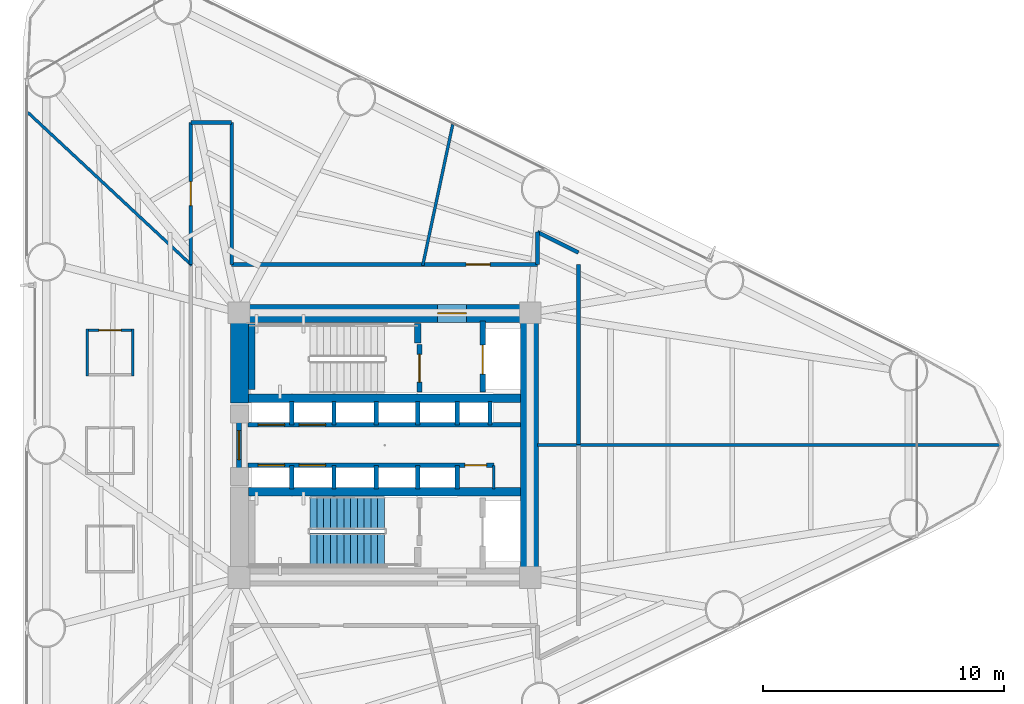
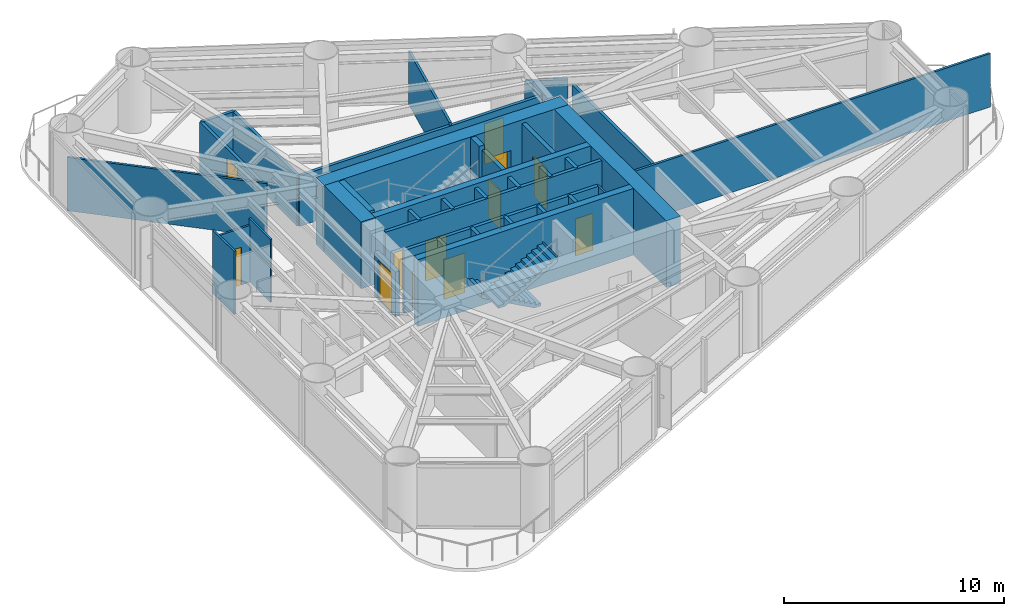
# One storey, part 6 of 10: 37 walls, 12 doors, 2 stair flights, 12 openings, 1 element without a shape of its own.
"""IFC4 building model written with IfcOpenShell, lengths in metres."""

from ifc_helpers import new_model, si_unit, direction, frame, frame_2d, origin, place, context, subcontext, project, spatial, polyline, rectangle, outline, extrude, material, layer, layer_set, type_object, element, fill, aggregate, save


model = new_model("IFC4")

# Units and contexts
model_context = context("Model", 3, precision=1e-05, world=origin(), true_north=direction((0.0, 1.0)))
body_context = subcontext(model_context, "Body", "Model", "MODEL_VIEW")
ifc_project = project(units=[si_unit("LENGTHUNIT", "METRE"), si_unit("AREAUNIT", "SQUARE_METRE"), si_unit("VOLUMEUNIT", "CUBIC_METRE"), si_unit("PLANEANGLEUNIT", "RADIAN"), si_unit("MASSUNIT", "GRAM", prefix="KILO")], contexts=[model_context])

# Site, building, storey
site_placement = place(None, origin())
site = spatial("IfcSite", under=ifc_project, at=site_placement, CompositionType="ELEMENT")
building_placement = place(site_placement, origin())
building = spatial("IfcBuilding", under=site, at=building_placement, Name="Yunling Apex Tower", CompositionType="ELEMENT")
storey_placement = place(building_placement, frame((0.0, 0.0, 27.5)))
storey = spatial("IfcBuildingStorey", under=building, at=storey_placement, Name="L08", CompositionType="ELEMENT", Elevation=27.5)

# Wall, opening, door
ifc_material_1 = material(Name="Concrete C60", Category="concrete")
ifc_layer_1 = layer(ifc_material_1, 0.75)
ifc_layer_set_1 = layer_set([ifc_layer_1], Name="Concrete C60")
wall_type_1 = type_object("IfcWallType", Name="WL-COR-1", PredefinedType="SHEAR", material=ifc_layer_set_1)
wall_1_placement = place(storey_placement, frame((-6.39990234375, 5.47509765625, 0.0), z_axis=(0.0, 0.0, 1.0), x_axis=(1.0, 0.0, 0.0)))
wall_1 = element("IfcWall", 1, at=wall_1_placement, inside=storey, type_object=wall_type_1, Name="L08 North Core Shear Wall", PredefinedType="SHEAR", context=body_context, shape_type="SweptSolid", body=[
    extrude(rectangle(XDim=12.7998046875, YDim=0.75, at=frame_2d((6.39990234375, 0.0))), origin(), (0.0, 0.0, 1.0), 3.699951171875),
])
opening_1_placement = place(wall_1_placement, frame((8.60009765625, 0.0, 0.0)))
opening_1 = element("IfcOpeningElement", 2, at=opening_1_placement, cuts=wall_1, Name="Opening DR-FFL-1", PredefinedType="OPENING", context=body_context, shape_type="SweptSolid", body=[
    extrude(rectangle(XDim=1.199951171875, YDim=2.199951171875, at=frame_2d((0.60009765625, 1.10009765625))), frame((0.0, 0.385009765625, 0.0), z_axis=(0.0, -1.0, 0.0), x_axis=(1.0, 0.0, 0.0)), (0.0, 0.0, 1.0), 0.77001953125),
])
ifc_material_2 = material(Name="Steel Q355B", Category="steel")
door_type_1 = type_object("IfcDoorType", Name="DR-FFL-1", OperationType="NOTDEFINED", PredefinedType="DOOR", material=ifc_material_2)
door_1_placement = place(opening_1_placement, origin())
door_1 = element("IfcDoor", 3, at=door_1_placement, inside=storey, type_object=door_type_1, Name="L08 North Firefighting Lobby Door", OperationType="SINGLE_SWING_LEFT", OverallHeight=2.199951171875, OverallWidth=1.199951171875, PredefinedType="DOOR", context=body_context, shape_type="SweptSolid", body=[
    extrude(rectangle(XDim=1.199951171875, YDim=2.199951171875, at=frame_2d((0.60009765625, 1.10009765625))), frame((0.0, 0.02490234375, 0.0), z_axis=(0.0, -1.0, 0.0), x_axis=(1.0, 0.0, 0.0)), (0.0, 0.0, 1.0), 0.050048828125),
])
fill(opening_1, door_1)

# Walls
wall_2_placement = place(storey_placement, frame((6.02490234375, -5.10009765625, 0.0), z_axis=(0.0, 0.0, 1.0), x_axis=(0.0, 1.0, 0.0)))
element("IfcWall", 4, at=wall_2_placement, inside=storey, type_object=wall_type_1, Name="L08 East Core Shear Wall", PredefinedType="SHEAR", context=body_context, shape_type="SweptSolid", body=[
    extrude(rectangle(XDim=10.2001953125, YDim=0.75, at=frame_2d((5.10009765625, 0.0))), origin(), (0.0, 0.0, 1.0), 3.699951171875),
])
wall_3_placement = place(storey_placement, frame((-6.02490234375, 1.75, 0.0), z_axis=(0.0, 0.0, 1.0), x_axis=(0.0, 1.0, 0.0)))
element("IfcWall", 5, at=wall_3_placement, inside=storey, type_object=wall_type_1, Name="L08 West-North Core Shear Wall", PredefinedType="SHEAR", context=body_context, shape_type="SweptSolid", body=[
    extrude(rectangle(XDim=3.35009765625, YDim=0.75, at=frame_2d((1.675048828125, 0.0))), origin(), (0.0, 0.0, 1.0), 3.699951171875),
])
ifc_material_3 = material(Name="Concrete C40", Category="concrete")
ifc_layer_2 = layer(ifc_material_3, 0.360107421875)
ifc_layer_set_2 = layer_set([ifc_layer_2], Name="Concrete C40")
wall_type_2 = type_object("IfcWallType", Name="WL-COR-4", PredefinedType="SHEAR", material=ifc_layer_set_2)
for number, where, z_axis, x_axis, name in (
    (6, (-5.64990234375, 1.93994140625, 0.0), (0.0, 0.0, 1.0), (1.0, 0.0, 0.0), "L08 North Internal Core Shear Wall"),
    (7, (-5.64990234375, -1.93994140625, 0.0), (0.0, 0.0, 1.0), (1.0, 0.0, 0.0), "L08 South Internal Core Shear Wall"),
):
    element("IfcWall", number, at=place(storey_placement, frame(where, z_axis=z_axis, x_axis=x_axis)), inside=storey, type_object=wall_type_2, Name=name, PredefinedType="SHEAR", context=body_context, shape_type="SweptSolid", body=[
        extrude(rectangle(XDim=11.2998046875, YDim=0.360107421875, at=frame_2d((5.64990234375, 0.0))), origin(), (0.0, 0.0, 1.0), 3.699951171875),
    ])
ifc_layer_3 = layer(ifc_material_3, 0.280029296875)
ifc_layer_set_3 = layer_set([ifc_layer_3], Name="Concrete C40")
wall_type_3 = type_object("IfcWallType", Name="WL-COR-8", PredefinedType="SHEAR", material=ifc_layer_set_3)
wall_4_placement = place(storey_placement, frame((-5.52001953125, 2.300048828125, 0.0), z_axis=(0.0, 0.0, 1.0), x_axis=(0.0, 1.0, 0.0)))
element("IfcWall", 8, at=wall_4_placement, inside=storey, type_object=wall_type_3, Name="L08 ST-1 West Landing Bearing Wall", PredefinedType="SHEAR", context=body_context, shape_type="SweptSolid", body=[
    extrude(rectangle(XDim=2.75, YDim=0.280029296875, at=frame_2d((1.375, 0.0))), origin(), (0.0, 0.0, 1.0), 3.699951171875),
])
wall_5_placement = place(storey_placement, frame((1.3798828125, 4.25, 0.0), z_axis=(0.0, 0.0, 1.0), x_axis=(0.0, 1.0, 0.0)))
element("IfcWall", 9, at=wall_5_placement, inside=storey, type_object=wall_type_3, Name="L08 ST-1 East Landing Bearing Pier", PredefinedType="SHEAR", context=body_context, shape_type="SweptSolid", body=[
    extrude(rectangle(XDim=0.800048828125, YDim=0.280029296875, at=frame_2d((0.39990234375, 0.0))), origin(), (0.0, 0.0, 1.0), 3.699951171875),
])

# Wall, opening, door
ifc_material_4 = material(Name="Gypsum board acoustic partition")
ifc_layer_4 = layer(ifc_material_4, 0.159912109375)
ifc_layer_set_4 = layer_set([ifc_layer_4], Name="Gypsum board acoustic partition")
wall_type_4 = type_object("IfcWallType", Name="WL-PRT-1", PredefinedType="PARTITIONING", material=ifc_layer_set_4)
wall_6_placement = place(storey_placement, frame((-8.050048828125, 7.5, 0.0), z_axis=(0.0, 0.0, 1.0), x_axis=(0.0, 1.0, 0.0)))
wall_6 = element("IfcWall", 10, at=wall_6_placement, inside=storey, type_object=wall_type_4, Name="WL-CORR-L08-06", PredefinedType="PARTITIONING", context=body_context, shape_type="SweptSolid", body=[
    extrude(rectangle(XDim=5.89990234375, YDim=0.159912109375, at=frame_2d((2.949951171875, 0.0))), origin(), (0.0, 0.0, 1.0), 2.800048828125),
])
opening_2_placement = place(wall_6_placement, frame((2.449951171875, 0.0, 0.0)))
opening_2 = element("IfcOpeningElement", 11, at=opening_2_placement, cuts=wall_6, Name="Opening DR-OFF-1", PredefinedType="OPENING", context=body_context, shape_type="SweptSolid", body=[
    extrude(rectangle(XDim=1.0, YDim=2.25, at=frame_2d((0.5, 1.125))), frame((0.0, 0.08984375, 0.0), z_axis=(0.0, -1.0, 0.0), x_axis=(1.0, 0.0, 0.0)), (0.0, 0.0, 1.0), 0.179931640625),
])
ifc_material_5 = material(Name="Bronze anodised aluminium", Category="aluminium")
door_type_2 = type_object("IfcDoorType", Name="DR-OFF-1", OperationType="NOTDEFINED", PredefinedType="DOOR", material=ifc_material_5)
door_2_placement = place(opening_2_placement, origin())
door_2 = element("IfcDoor", 12, at=door_2_placement, inside=storey, type_object=door_type_2, Name="L08 Open Plan Office Door", OperationType="SINGLE_SWING_LEFT", OverallHeight=2.25, OverallWidth=1.0, PredefinedType="DOOR", context=body_context, shape_type="SweptSolid", body=[
    extrude(rectangle(XDim=1.0, YDim=2.25, at=frame_2d((0.5, 1.125))), frame((0.0, 0.02490234375, 0.0), z_axis=(0.0, -1.0, 0.0), x_axis=(1.0, 0.0, 0.0)), (0.0, 0.0, 1.0), 0.050048828125),
])
fill(opening_2, door_2)

# Walls
wall_7_placement = place(storey_placement, frame((-8.050048828125, 13.39990234375, 0.0), z_axis=(0.0, 0.0, 1.0), x_axis=(1.0, 0.0, 0.0)))
element("IfcWall", 13, at=wall_7_placement, inside=storey, type_object=wall_type_4, Name="WL-CORR-L08-07", PredefinedType="PARTITIONING", context=body_context, shape_type="SweptSolid", body=[
    extrude(rectangle(XDim=1.699951171875, YDim=0.159912109375, at=frame_2d((0.85009765625, 0.0))), origin(), (0.0, 0.0, 1.0), 2.800048828125),
])
wall_8_placement = place(storey_placement, frame((-6.35009765625, 13.39990234375, 0.0), z_axis=(0.0, 0.0, 1.0), x_axis=(0.0, -1.0, 0.0)))
element("IfcWall", 14, at=wall_8_placement, inside=storey, type_object=wall_type_4, Name="WL-CORR-L08-08", PredefinedType="PARTITIONING", context=body_context, shape_type="SweptSolid", body=[
    extrude(rectangle(XDim=5.89990234375, YDim=0.159912109375, at=frame_2d((2.949951171875, 0.0))), origin(), (0.0, 0.0, 1.0), 2.800048828125),
])

# Wall, opening, door
wall_9_placement = place(storey_placement, frame((-6.35009765625, 7.5, 0.0), z_axis=(0.0, 0.0, 1.0), x_axis=(1.0, 0.0, 0.0)))
wall_9 = element("IfcWall", 15, at=wall_9_placement, inside=storey, type_object=wall_type_4, Name="WL-CORR-L08-09", PredefinedType="PARTITIONING", context=body_context, shape_type="SweptSolid", body=[
    extrude(rectangle(XDim=12.7001953125, YDim=0.159912109375, at=frame_2d((6.35009765625, 0.0))), origin(), (0.0, 0.0, 1.0), 2.800048828125),
])
opening_3_placement = place(wall_9_placement, frame((9.7373046875, 0.0, 0.0)))
opening_3 = element("IfcOpeningElement", 16, at=opening_3_placement, cuts=wall_9, Name="Opening DR-OFF-1", PredefinedType="OPENING", context=body_context, shape_type="SweptSolid", body=[
    extrude(rectangle(XDim=1.0, YDim=2.25, at=frame_2d((0.5, 1.125))), frame((0.0, 0.08984375, 0.0), z_axis=(0.0, -1.0, 0.0), x_axis=(1.0, 0.0, 0.0)), (0.0, 0.0, 1.0), 0.179931640625),
])
door_3_placement = place(opening_3_placement, origin())
door_3 = element("IfcDoor", 17, at=door_3_placement, inside=storey, type_object=door_type_2, Name="L08 Open Plan Office Door", OperationType="SINGLE_SWING_RIGHT", OverallHeight=2.25, OverallWidth=1.0, PredefinedType="DOOR", context=body_context, shape_type="SweptSolid", body=[
    extrude(rectangle(XDim=1.0, YDim=2.25, at=frame_2d((0.5, 1.125))), frame((0.0, 0.02490234375, 0.0), z_axis=(0.0, -1.0, 0.0), x_axis=(1.0, 0.0, 0.0)), (0.0, 0.0, 1.0), 0.050048828125),
])
fill(opening_3, door_3)

# Walls
wall_10_placement = place(storey_placement, frame((6.35009765625, 7.5, 0.0), z_axis=(0.0, 0.0, 1.0), x_axis=(0.0, 1.0, 0.0)))
element("IfcWall", 18, at=wall_10_placement, inside=storey, type_object=wall_type_4, Name="WL-CORR-L08-10", PredefinedType="PARTITIONING", context=body_context, shape_type="SweptSolid", body=[
    extrude(rectangle(XDim=1.34619140625, YDim=0.159912109375, at=frame_2d((0.673095703125, 0.0))), origin(), (0.0, 0.0, 1.0), 2.800048828125),
])
wall_11_placement = place(storey_placement, frame((6.35009765625, 8.84619140625, 0.0), z_axis=(0.0, 0.0, 1.0), x_axis=(0.895274181873, -0.445515588136, 0.0)))
element("IfcWall", 19, at=wall_11_placement, inside=storey, type_object=wall_type_4, Name="WL-CORR-L08-11", PredefinedType="PARTITIONING", context=body_context, shape_type="SweptSolid", body=[
    extrude(rectangle(XDim=1.89892578125, YDim=0.159912109375, at=frame_2d((0.949462890625, 0.0))), origin(), (0.0, 0.0, 1.0), 2.800048828125),
])
wall_12_placement = place(storey_placement, frame((8.050048828125, 7.5, 0.0), z_axis=(0.0, 0.0, 1.0), x_axis=(0.0, -1.0, 0.0)))
element("IfcWall", 20, at=wall_12_placement, inside=storey, type_object=wall_type_4, Name="WL-CORR-L08-13", PredefinedType="PARTITIONING", context=body_context, shape_type="SweptSolid", body=[
    extrude(rectangle(XDim=7.47998046875, YDim=0.159912109375, at=frame_2d((3.739990234375, 0.0))), origin(), (0.0, 0.0, 1.0), 2.800048828125),
])
ifc_layer_5 = layer(ifc_material_4, 0.1201171875)
ifc_layer_set_5 = layer_set([ifc_layer_5], Name="Gypsum board acoustic partition")
wall_type_5 = type_object("IfcWallType", Name="WL-PRT-3", PredefinedType="PARTITIONING", material=ifc_layer_set_5)
wall_13_placement = place(storey_placement, frame((6.360107421875, 0.0, 0.0), z_axis=(0.0, 0.0, 1.0), x_axis=(1.0, 0.0, 0.0)))
element("IfcWall", 21, at=wall_13_placement, inside=storey, type_object=wall_type_5, Name="WL-RAD-L08-01", PredefinedType="PARTITIONING", context=body_context, shape_type="SweptSolid", body=[
    extrude(rectangle(XDim=19.190673828125, YDim=0.1201171875, at=frame_2d((9.59521484375, 0.0))), origin(), (0.0, 0.0, 1.0), 2.9599609375),
])
wall_14_placement = place(storey_placement, frame((1.585693359375, 7.4599609375, 0.0), z_axis=(0.0, 0.0, 1.0), x_axis=(0.207898702609, 0.978150361373, 0.0)))
element("IfcWall", 22, at=wall_14_placement, inside=storey, type_object=wall_type_5, Name="WL-RAD-L08-02", PredefinedType="PARTITIONING", context=body_context, shape_type="SweptSolid", body=[
    extrude(rectangle(XDim=5.99365234375, YDim=0.1201171875, at=frame_2d((2.996826171875, 0.0))), origin(), (0.0, 0.0, 1.0), 2.9599609375),
])
wall_15_placement = place(storey_placement, frame((-8.010009765625, 7.469482421875, 0.0), z_axis=(0.0, 0.0, 1.0), x_axis=(-0.731354171407, 0.681997856277, 0.0)))
element("IfcWall", 23, at=wall_15_placement, inside=storey, type_object=wall_type_5, Name="WL-RAD-L08-03", PredefinedType="PARTITIONING", context=body_context, shape_type="SweptSolid", body=[
    extrude(rectangle(XDim=9.314208984375, YDim=0.1201171875, at=frame_2d((4.6572265625, 0.0))), origin(), (0.0, 0.0, 1.0), 2.9599609375),
])
ifc_layer_6 = layer(ifc_material_4, 0.10009765625)
ifc_layer_set_6 = layer_set([ifc_layer_6], Name="Gypsum board acoustic partition")
wall_type_6 = type_object("IfcWallType", Name="WL-PRT-4", PredefinedType="PARTITIONING", material=ifc_layer_set_6)
wall_16_placement = place(storey_placement, frame((4.5400390625, -1.820068359375, 0.0), z_axis=(0.0, 0.0, 1.0), x_axis=(0.0, 1.0, 0.0)))
element("IfcWall", 24, at=wall_16_placement, inside=storey, type_object=wall_type_6, Name="WL-KASE-E-L08", PredefinedType="PARTITIONING", context=body_context, shape_type="SweptSolid", body=[
    extrude(rectangle(XDim=0.97998046875, YDim=0.10009765625, at=frame_2d((0.489990234375, 0.0))), origin(), (0.0, 0.0, 1.0), 3.4951171875),
])

# Wall, opening, door
wall_17_placement = place(storey_placement, frame((-12.406005859375, 4.77587890625, 0.0), z_axis=(0.0, 0.0, 1.0), x_axis=(1.0, 0.0, 0.0)))
wall_17 = element("IfcWall", 25, at=wall_17_placement, inside=storey, type_object=wall_type_6, Name="WL-L08-WCAN", PredefinedType="PARTITIONING", context=body_context, shape_type="SweptSolid", body=[
    extrude(rectangle(XDim=2.0, YDim=0.10009765625, at=frame_2d((1.0, 0.0))), origin(), (0.0, 0.0, 1.0), 3.14990234375),
])
opening_4_placement = place(wall_17_placement, frame((0.5400390625, 0.0, 0.0)))
opening_4 = element("IfcOpeningElement", 26, at=opening_4_placement, cuts=wall_17, Name="Opening DR-WC-1", PredefinedType="OPENING", context=body_context, shape_type="SweptSolid", body=[
    extrude(rectangle(XDim=0.919921875, YDim=2.10009765625, at=frame_2d((0.4599609375, 1.050048828125))), frame((0.0, 0.06005859375, 0.0), z_axis=(0.0, -1.0, 0.0), x_axis=(1.0, 0.0, 0.0)), (0.0, 0.0, 1.0), 0.1201171875),
])
ifc_material_6 = material(Name="Timber moisture-resistant leaf", Category="wood")
door_type_3 = type_object("IfcDoorType", Name="DR-WC-1", OperationType="NOTDEFINED", PredefinedType="DOOR", material=ifc_material_6)
door_4_placement = place(opening_4_placement, origin())
door_4 = element("IfcDoor", 27, at=door_4_placement, inside=storey, type_object=door_type_3, Name="L08 Accessible WC Door", OperationType="SINGLE_SWING_LEFT", OverallHeight=2.10009765625, OverallWidth=0.919921875, PredefinedType="DOOR", context=body_context, shape_type="SweptSolid", body=[
    extrude(rectangle(XDim=0.919921875, YDim=2.10009765625, at=frame_2d((0.4599609375, 1.050048828125))), frame((0.0, 0.02490234375, 0.0), z_axis=(0.0, -1.0, 0.0), x_axis=(1.0, 0.0, 0.0)), (0.0, 0.0, 1.0), 0.050048828125),
])
fill(opening_4, door_4)

# Walls
for number, where, z_axis, x_axis, name in (
    (28, (-10.4560546875, 4.825927734375, 0.0), (0.0, 0.0, 1.0), (0.0, -1.0, 0.0), "WL-L08-WCAE"),
    (29, (-12.35595703125, 2.8759765625, 0.0), (0.0, 0.0, 1.0), (0.0, 1.0, 0.0), "WL-L08-WCAW"),
):
    element("IfcWall", number, at=place(storey_placement, frame(where, z_axis=z_axis, x_axis=x_axis)), inside=storey, type_object=wall_type_6, Name=name, PredefinedType="PARTITIONING", context=body_context, shape_type="SweptSolid", body=[
        extrude(rectangle(XDim=1.949951171875, YDim=0.10009765625, at=frame_2d((0.97509765625, 0.0))), origin(), (0.0, 0.0, 1.0), 3.4951171875),
    ])

# Wall, opening, door
ifc_material_7 = material(Name="Autoclaved aerated concrete masonry", Category="masonry")
ifc_layer_7 = layer(ifc_material_7, 0.219970703125)
ifc_layer_set_7 = layer_set([ifc_layer_7], Name="Autoclaved aerated concrete masonry")
wall_type_7 = type_object("IfcWallType", Name="WL-SHF-1", PredefinedType="PLUMBINGWALL", material=ifc_layer_set_7)
wall_18_placement = place(storey_placement, frame((-6.050048828125, -0.949951171875, 0.0), z_axis=(0.0, 0.0, 1.0), x_axis=(0.0, 1.0, 0.0)))
wall_18 = element("IfcWall", 30, at=wall_18_placement, inside=storey, type_object=wall_type_7, Name="WL-COR-WPORT-L08", PredefinedType="PLUMBINGWALL", context=body_context, shape_type="SweptSolid", body=[
    extrude(rectangle(XDim=1.89990234375, YDim=0.219970703125, at=frame_2d((0.949951171875, 0.0))), origin(), (0.0, 0.0, 1.0), 2.47509765625),
])
opening_5_placement = place(wall_18_placement, frame((0.35009765625, 0.0, 0.0)))
opening_5 = element("IfcOpeningElement", 31, at=opening_5_placement, cuts=wall_18, Name="Opening DR-FFL-1", PredefinedType="OPENING", context=body_context, shape_type="SweptSolid", body=[
    extrude(rectangle(XDim=1.199951171875, YDim=2.199951171875, at=frame_2d((0.60009765625, 1.10009765625))), frame((0.0, 0.1201171875, 0.0), z_axis=(0.0, -1.0, 0.0), x_axis=(1.0, 0.0, 0.0)), (0.0, 0.0, 1.0), 0.239990234375),
])
door_5_placement = place(opening_5_placement, origin())
door_5 = element("IfcDoor", 32, at=door_5_placement, inside=storey, type_object=door_type_1, Name="L08 Passenger Lift Lobby Entrance Door", OperationType="SINGLE_SWING_RIGHT", OverallHeight=2.199951171875, OverallWidth=1.199951171875, PredefinedType="DOOR", context=body_context, shape_type="SweptSolid", body=[
    extrude(rectangle(XDim=1.199951171875, YDim=2.199951171875, at=frame_2d((0.60009765625, 1.10009765625))), frame((0.0, 0.02490234375, 0.0), z_axis=(0.0, -1.0, 0.0), x_axis=(1.0, 0.0, 0.0)), (0.0, 0.0, 1.0), 0.050048828125),
])
fill(opening_5, door_5)

wall_19_placement = place(storey_placement, frame((1.449951171875, 2.199951171875, 0.0), z_axis=(0.0, 0.0, 1.0), x_axis=(0.0, 1.0, 0.0)))
wall_19 = element("IfcWall", 33, at=wall_19_placement, inside=storey, type_object=wall_type_7, Name="WL-ST1-E-L08", PredefinedType="PLUMBINGWALL", context=body_context, shape_type="SweptSolid", body=[
    extrude(rectangle(XDim=1.97998046875, YDim=0.219970703125, at=frame_2d((0.989990234375, 0.0))), origin(), (0.0, 0.0, 1.0), 3.4951171875),
])
opening_6_placement = place(wall_19_placement, frame((0.419921875, 0.0, 0.0)))
opening_6 = element("IfcOpeningElement", 34, at=opening_6_placement, cuts=wall_19, Name="Opening DR-ST-1", PredefinedType="OPENING", context=body_context, shape_type="SweptSolid", body=[
    extrude(rectangle(XDim=1.14990234375, YDim=2.14990234375, at=frame_2d((0.574951171875, 1.074951171875))), frame((0.0, 0.1201171875, 0.0), z_axis=(0.0, -1.0, 0.0), x_axis=(1.0, 0.0, 0.0)), (0.0, 0.0, 1.0), 0.239990234375),
])
door_type_4 = type_object("IfcDoorType", Name="DR-ST-1", OperationType="NOTDEFINED", PredefinedType="DOOR", material=ifc_material_2)
door_6_placement = place(opening_6_placement, origin())
door_6 = element("IfcDoor", 35, at=door_6_placement, inside=storey, type_object=door_type_4, Name="L08 Stair ST-1 Fire Door", OperationType="SINGLE_SWING_RIGHT", OverallHeight=2.14990234375, OverallWidth=1.14990234375, PredefinedType="DOOR", context=body_context, shape_type="SweptSolid", body=[
    extrude(rectangle(XDim=1.14990234375, YDim=2.14990234375, at=frame_2d((0.574951171875, 1.074951171875))), frame((0.0, 0.02490234375, 0.0), z_axis=(0.0, -1.0, 0.0), x_axis=(1.0, 0.0, 0.0)), (0.0, 0.0, 1.0), 0.050048828125),
])
fill(opening_6, door_6)

wall_20_placement = place(storey_placement, frame((4.080078125, 2.199951171875, 0.0), z_axis=(0.0, 0.0, 1.0), x_axis=(0.0, 1.0, 0.0)))
wall_20 = element("IfcWall", 36, at=wall_20_placement, inside=storey, type_object=wall_type_7, Name="WL-FFL1-W-L08", PredefinedType="PLUMBINGWALL", context=body_context, shape_type="SweptSolid", body=[
    extrude(rectangle(XDim=2.949951171875, YDim=0.219970703125, at=frame_2d((1.47509765625, 0.0))), origin(), (0.0, 0.0, 1.0), 3.4951171875),
])
opening_7_placement = place(wall_20_placement, frame((0.75, 0.0, 0.0)))
opening_7 = element("IfcOpeningElement", 37, at=opening_7_placement, cuts=wall_20, Name="Opening LD-FFL-1", PredefinedType="OPENING", context=body_context, shape_type="SweptSolid", body=[
    extrude(rectangle(XDim=1.199951171875, YDim=2.25, at=frame_2d((0.60009765625, 1.125))), frame((0.0, 0.1201171875, 0.0), z_axis=(0.0, -1.0, 0.0), x_axis=(1.0, 0.0, 0.0)), (0.0, 0.0, 1.0), 0.239990234375),
])
door_type_5 = type_object("IfcDoorType", Name="LD-FFL-1", OperationType="DOUBLE_DOOR_SLIDING", PredefinedType="DOOR", material=ifc_material_2)
door_7_placement = place(opening_7_placement, origin())
door_7 = element("IfcDoor", 38, at=door_7_placement, inside=storey, type_object=door_type_5, Name="L08 Lift FFL-1 Landing Door", OperationType="DOUBLE_DOOR_SLIDING", OverallHeight=2.25, OverallWidth=1.199951171875, PredefinedType="DOOR", context=body_context, shape_type="SweptSolid", body=[
    extrude(rectangle(XDim=1.199951171875, YDim=2.25, at=frame_2d((0.60009765625, 1.125))), frame((0.0, 0.02490234375, 0.0), z_axis=(0.0, -1.0, 0.0), x_axis=(1.0, 0.0, 0.0)), (0.0, 0.0, 1.0), 0.050048828125),
])
fill(opening_7, door_7)

# Walls
ifc_layer_8 = layer(ifc_material_7, 0.179931640625)
ifc_layer_set_8 = layer_set([ifc_layer_8], Name="Autoclaved aerated concrete masonry")
wall_type_8 = type_object("IfcWallType", Name="WL-SHF-2", PredefinedType="PLUMBINGWALL", material=ifc_layer_set_8)
for number, where, z_axis, x_axis, name in (
    (39, (-3.85009765625, 0.840087890625, 0.0), (0.0, 0.0, 1.0), (0.0, 1.0, 0.0), "WL-DIV-L12-L08"),
    (40, (-3.85009765625, -1.820068359375, 0.0), (0.0, 0.0, 1.0), (0.0, 1.0, 0.0), "WL-DIV-L34-L08"),
    (41, (-2.10009765625, 0.840087890625, 0.0), (0.0, 0.0, 1.0), (0.0, 1.0, 0.0), "WL-BNK-LM-N-L08"),
    (42, (-2.10009765625, -1.820068359375, 0.0), (0.0, 0.0, 1.0), (0.0, 1.0, 0.0), "WL-BNK-LM-S-L08"),
    (43, (-0.35009765625, 0.840087890625, 0.0), (0.0, 0.0, 1.0), (0.0, 1.0, 0.0), "WL-DIV-M12-L08"),
    (44, (-0.35009765625, -1.820068359375, 0.0), (0.0, 0.0, 1.0), (0.0, 1.0, 0.0), "WL-DIV-M34-L08"),
    (45, (1.3798828125, 0.840087890625, 0.0), (0.0, 0.0, 1.0), (0.0, 1.0, 0.0), "WL-BNK-MH-N-L08"),
    (46, (1.3798828125, -1.820068359375, 0.0), (0.0, 0.0, 1.0), (0.0, 1.0, 0.0), "WL-BNK-MH-S-L08"),
    (47, (3.02001953125, 0.840087890625, 0.0), (0.0, 0.0, 1.0), (0.0, 1.0, 0.0), "WL-DIV-H13-L08"),
    (48, (4.3798828125, 0.840087890625, 0.0), (0.0, 0.0, 1.0), (0.0, 1.0, 0.0), "WL-END-H3E-L08"),
    (49, (3.02001953125, -1.820068359375, 0.0), (0.0, 0.0, 1.0), (0.0, 1.0, 0.0), "WL-END-H2E-L08"),
):
    element("IfcWall", number, at=place(storey_placement, frame(where, z_axis=z_axis, x_axis=x_axis)), inside=storey, type_object=wall_type_8, Name=name, PredefinedType="PLUMBINGWALL", context=body_context, shape_type="SweptSolid", body=[
        extrude(rectangle(XDim=0.97998046875, YDim=0.179931640625, at=frame_2d((0.489990234375, 0.0))), origin(), (0.0, 0.0, 1.0), 3.4951171875),
    ])

# Wall, openings, doors
wall_21_placement = place(storey_placement, frame((-5.679931640625, 0.840087890625, 0.0), z_axis=(0.0, 0.0, 1.0), x_axis=(1.0, 0.0, 0.0)))
wall_21 = element("IfcWall", 50, at=wall_21_placement, inside=storey, type_object=wall_type_8, Name="WL-LOB-N-L08", PredefinedType="PLUMBINGWALL", context=body_context, shape_type="SweptSolid", body=[
    extrude(rectangle(XDim=11.329833984375, YDim=0.179931640625, at=frame_2d((5.6650390625, 0.0))), origin(), (0.0, 0.0, 1.0), 3.4951171875),
])
opening_8_placement = place(wall_21_placement, frame((0.429931640625, 0.0, 0.0)))
opening_8 = element("IfcOpeningElement", 51, at=opening_8_placement, cuts=wall_21, Name="Opening LD-PAS-1", PredefinedType="OPENING", context=body_context, shape_type="SweptSolid", body=[
    extrude(rectangle(XDim=1.10009765625, YDim=2.199951171875, at=frame_2d((0.550048828125, 1.10009765625))), frame((0.0, 0.10009765625, 0.0), z_axis=(0.0, -1.0, 0.0), x_axis=(1.0, 0.0, 0.0)), (0.0, 0.0, 1.0), 0.199951171875),
])
opening_9_placement = place(wall_21_placement, frame((2.1298828125, 0.0, 0.0)))
opening_9 = element("IfcOpeningElement", 52, at=opening_9_placement, cuts=wall_21, Name="Opening LD-PAS-1", PredefinedType="OPENING", context=body_context, shape_type="SweptSolid", body=[
    extrude(rectangle(XDim=1.10009765625, YDim=2.199951171875, at=frame_2d((0.550048828125, 1.10009765625))), frame((0.0, 0.10009765625, 0.0), z_axis=(0.0, -1.0, 0.0), x_axis=(1.0, 0.0, 0.0)), (0.0, 0.0, 1.0), 0.199951171875),
])
ifc_material_8 = material(Name="Silver anodised aluminium", Category="aluminium")
door_type_6 = type_object("IfcDoorType", Name="LD-PAS-1", OperationType="DOUBLE_DOOR_SLIDING", PredefinedType="DOOR", material=ifc_material_8)
door_8_placement = place(opening_8_placement, origin())
door_8 = element("IfcDoor", 53, at=door_8_placement, inside=storey, type_object=door_type_6, Name="L08 Lift PL-L1 Landing Door", OperationType="DOUBLE_DOOR_SLIDING", OverallHeight=2.199951171875, OverallWidth=1.10009765625, PredefinedType="DOOR", context=body_context, shape_type="SweptSolid", body=[
    extrude(rectangle(XDim=1.10009765625, YDim=2.199951171875, at=frame_2d((0.550048828125, 1.10009765625))), frame((0.0, 0.02490234375, 0.0), z_axis=(0.0, -1.0, 0.0), x_axis=(1.0, 0.0, 0.0)), (0.0, 0.0, 1.0), 0.050048828125),
])
fill(opening_8, door_8)
door_9_placement = place(opening_9_placement, origin())
door_9 = element("IfcDoor", 54, at=door_9_placement, inside=storey, type_object=door_type_6, Name="L08 Lift PL-L2 Landing Door", OperationType="DOUBLE_DOOR_SLIDING", OverallHeight=2.199951171875, OverallWidth=1.10009765625, PredefinedType="DOOR", context=body_context, shape_type="SweptSolid", body=[
    extrude(rectangle(XDim=1.10009765625, YDim=2.199951171875, at=frame_2d((0.550048828125, 1.10009765625))), frame((0.0, 0.02490234375, 0.0), z_axis=(0.0, -1.0, 0.0), x_axis=(1.0, 0.0, 0.0)), (0.0, 0.0, 1.0), 0.050048828125),
])
fill(opening_9, door_9)

wall_22_placement = place(storey_placement, frame((-5.679931640625, -0.840087890625, 0.0), z_axis=(0.0, 0.0, 1.0), x_axis=(1.0, 0.0, 0.0)))
wall_22 = element("IfcWall", 55, at=wall_22_placement, inside=storey, type_object=wall_type_8, Name="WL-LOB-S-L08", PredefinedType="PLUMBINGWALL", context=body_context, shape_type="SweptSolid", body=[
    extrude(rectangle(XDim=10.219970703125, YDim=0.179931640625, at=frame_2d((5.10986328125, 0.0))), origin(), (0.0, 0.0, 1.0), 3.4951171875),
])
opening_10_placement = place(wall_22_placement, frame((0.429931640625, 0.0, 0.0)))
opening_10 = element("IfcOpeningElement", 56, at=opening_10_placement, cuts=wall_22, Name="Opening LD-PAS-1", PredefinedType="OPENING", context=body_context, shape_type="SweptSolid", body=[
    extrude(rectangle(XDim=1.10009765625, YDim=2.199951171875, at=frame_2d((0.550048828125, 1.10009765625))), frame((0.0, 0.10009765625, 0.0), z_axis=(0.0, -1.0, 0.0), x_axis=(1.0, 0.0, 0.0)), (0.0, 0.0, 1.0), 0.199951171875),
])
opening_11_placement = place(wall_22_placement, frame((2.1298828125, 0.0, 0.0)))
opening_11 = element("IfcOpeningElement", 57, at=opening_11_placement, cuts=wall_22, Name="Opening LD-PAS-1", PredefinedType="OPENING", context=body_context, shape_type="SweptSolid", body=[
    extrude(rectangle(XDim=1.10009765625, YDim=2.199951171875, at=frame_2d((0.550048828125, 1.10009765625))), frame((0.0, 0.10009765625, 0.0), z_axis=(0.0, -1.0, 0.0), x_axis=(1.0, 0.0, 0.0)), (0.0, 0.0, 1.0), 0.199951171875),
])
opening_12_placement = place(wall_22_placement, frame((9.02001953125, 0.0, 0.0)))
opening_12 = element("IfcOpeningElement", 58, at=opening_12_placement, cuts=wall_22, Name="Opening DR-SHF-1", PredefinedType="OPENING", context=body_context, shape_type="SweptSolid", body=[
    extrude(rectangle(XDim=0.89990234375, YDim=2.050048828125, at=frame_2d((0.449951171875, 1.02490234375))), frame((0.0, 0.10009765625, 0.0), z_axis=(0.0, -1.0, 0.0), x_axis=(1.0, 0.0, 0.0)), (0.0, 0.0, 1.0), 0.199951171875),
])
door_type_7 = type_object("IfcDoorType", Name="DR-SHF-1", OperationType="NOTDEFINED", PredefinedType="DOOR", material=ifc_material_2)
door_10_placement = place(opening_12_placement, origin())
door_10 = element("IfcDoor", 59, at=door_10_placement, inside=storey, type_object=door_type_7, Name="L08 Core Electrical Room Door", OperationType="SINGLE_SWING_RIGHT", OverallHeight=2.050048828125, OverallWidth=0.89990234375, PredefinedType="DOOR", context=body_context, shape_type="SweptSolid", body=[
    extrude(rectangle(XDim=0.89990234375, YDim=2.050048828125, at=frame_2d((0.449951171875, 1.02490234375))), frame((0.0, 0.02490234375, 0.0), z_axis=(0.0, -1.0, 0.0), x_axis=(1.0, 0.0, 0.0)), (0.0, 0.0, 1.0), 0.050048828125),
])
fill(opening_12, door_10)
door_11_placement = place(opening_10_placement, origin())
door_11 = element("IfcDoor", 60, at=door_11_placement, inside=storey, type_object=door_type_6, Name="L08 Lift PL-L3 Landing Door", OperationType="DOUBLE_DOOR_SLIDING", OverallHeight=2.199951171875, OverallWidth=1.10009765625, PredefinedType="DOOR", context=body_context, shape_type="SweptSolid", body=[
    extrude(rectangle(XDim=1.10009765625, YDim=2.199951171875, at=frame_2d((0.550048828125, 1.10009765625))), frame((0.0, 0.02490234375, 0.0), z_axis=(0.0, -1.0, 0.0), x_axis=(1.0, 0.0, 0.0)), (0.0, 0.0, 1.0), 0.050048828125),
])
fill(opening_10, door_11)
door_12_placement = place(opening_11_placement, origin())
door_12 = element("IfcDoor", 61, at=door_12_placement, inside=storey, type_object=door_type_6, Name="L08 Lift PL-L4 Landing Door", OperationType="DOUBLE_DOOR_SLIDING", OverallHeight=2.199951171875, OverallWidth=1.10009765625, PredefinedType="DOOR", context=body_context, shape_type="SweptSolid", body=[
    extrude(rectangle(XDim=1.10009765625, YDim=2.199951171875, at=frame_2d((0.550048828125, 1.10009765625))), frame((0.0, 0.02490234375, 0.0), z_axis=(0.0, -1.0, 0.0), x_axis=(1.0, 0.0, 0.0)), (0.0, 0.0, 1.0), 0.050048828125),
])
fill(opening_11, door_12)

# Stair, stair flights
stair_type = type_object("IfcStairType", Name="ST-TWR-1", PredefinedType="HALF_TURN_STAIR", material=ifc_material_3)
stair_placement = place(storey_placement, origin())
stair = element("IfcStair", 62, at=stair_placement, inside=storey, type_object=stair_type, Name="L08 South Core Smokeproof Exit Stair ST-2", PredefinedType="HALF_TURN_STAIR")
stair_flight_type = type_object("IfcStairFlightType", Name="SFL-TWR-1", PredefinedType="STRAIGHT", material=ifc_material_3)
stair_flight_1_placement = place(storey_placement, frame((-0.010009765625, -2.820068359375, 0.0), z_axis=(0.0, 0.0, 1.0), x_axis=(-1.0, 0.0, 0.0)))
stair_flight_1 = element("IfcStairFlight", 63, at=stair_flight_1_placement, type_object=stair_flight_type, Name="ST-2 flight 1", NumberOfRisers=12, NumberOfTreads=11, PredefinedType="STRAIGHT", RiserHeight=0.154166667, TreadLength=0.28, context=body_context, shape_type="SweptSolid", body=[
    extrude(outline(polyline([(-0.011962890625, 0.0), (-0.011962890625, 0.154052734375), (0.0, 0.154052734375), (0.280029296875, 0.154052734375), (0.280029296875, 0.308349609375), (0.56005859375, 0.308349609375), (0.56005859375, 0.46240234375), (0.840087890625, 0.46240234375), (0.840087890625, 0.61669921875), (1.1201171875, 0.61669921875), (1.1201171875, 0.770751953125), (1.39990234375, 0.770751953125), (1.39990234375, 0.925048828125), (1.679931640625, 0.925048828125), (1.679931640625, 1.0791015625), (1.9599609375, 1.0791015625), (1.9599609375, 1.2333984375), (2.239990234375, 1.2333984375), (2.239990234375, 1.387451171875), (2.52001953125, 1.387451171875), (2.52001953125, 1.541748046875), (2.800048828125, 1.541748046875), (2.800048828125, 1.69580078125), (3.080078125, 1.69580078125), (3.080078125, 1.85009765625), (3.092041015625, 1.85009765625), (3.092041015625, 1.51318359375), (0.33154296875, 0.0), (-0.011962890625, 0.0)])), frame((0.0, 0.68017578125, 0.0), z_axis=(0.0, -1.0, 0.0), x_axis=(1.0, 0.0, 0.0)), (0.0, 0.0, 1.0), 1.360107421875),
])
stair_flight_2_placement = place(storey_placement, frame((-3.090087890625, -4.330078125, 1.85009765625), z_axis=(0.0, 0.0, 1.0), x_axis=(1.0, 0.0, 0.0)))
stair_flight_2 = element("IfcStairFlight", 64, at=stair_flight_2_placement, type_object=stair_flight_type, Name="ST-2 flight 2", NumberOfRisers=12, NumberOfTreads=11, PredefinedType="STRAIGHT", RiserHeight=0.154166667, TreadLength=0.28, context=body_context, shape_type="SweptSolid", body=[
    extrude(outline(polyline([(-0.011962890625, 0.0), (-0.011962890625, 0.154052734375), (0.0, 0.154052734375), (0.280029296875, 0.154052734375), (0.280029296875, 0.308349609375), (0.56005859375, 0.308349609375), (0.56005859375, 0.46240234375), (0.840087890625, 0.46240234375), (0.840087890625, 0.61669921875), (1.1201171875, 0.61669921875), (1.1201171875, 0.770751953125), (1.39990234375, 0.770751953125), (1.39990234375, 0.925048828125), (1.679931640625, 0.925048828125), (1.679931640625, 1.0791015625), (1.9599609375, 1.0791015625), (1.9599609375, 1.2333984375), (2.239990234375, 1.2333984375), (2.239990234375, 1.387451171875), (2.52001953125, 1.387451171875), (2.52001953125, 1.541748046875), (2.800048828125, 1.541748046875), (2.800048828125, 1.69580078125), (3.080078125, 1.69580078125), (3.080078125, 1.85009765625), (3.092041015625, 1.85009765625), (3.092041015625, 1.51318359375), (0.33154296875, 0.0), (-0.011962890625, 0.0)])), frame((0.0, 0.68017578125, 0.0), z_axis=(0.0, -1.0, 0.0), x_axis=(1.0, 0.0, 0.0)), (0.0, 0.0, 1.0), 1.360107421875),
])
aggregate(stair, [stair_flight_1, stair_flight_2])

save(model, "model.ifc")
